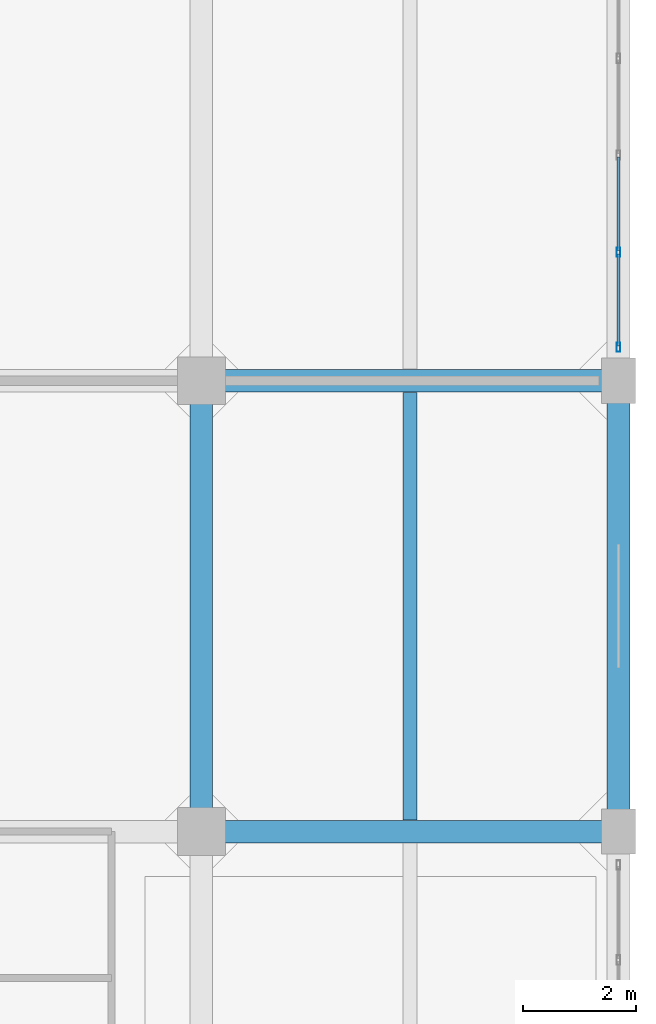
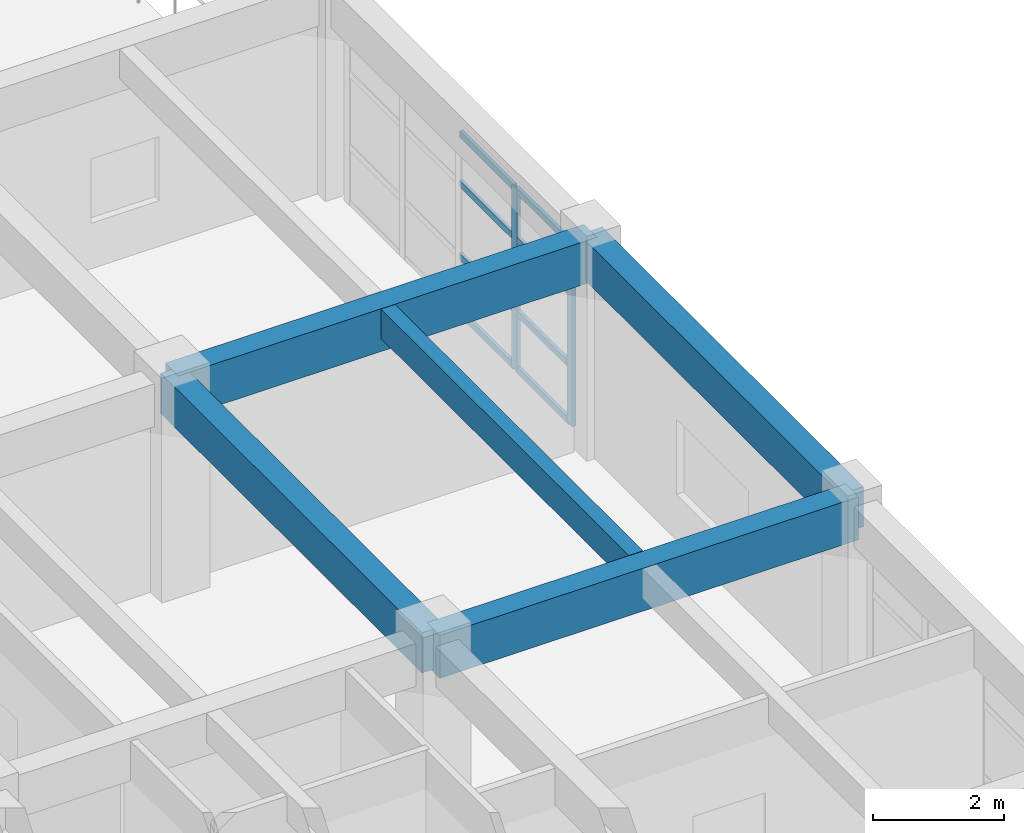
# One storey, part 20 of 30: 10 members, 5 beams, 1 element without a shape of its own.
"""IFC4 building model written with IfcOpenShell, lengths in metres."""

from ifc_helpers import new_model, si_unit, direction, frame, origin, origin_2d, place, context, subcontext, project, spatial, rectangle, hollow_rectangle, extrude, material, layer, layer_set, material_profile, profile_set, type_object, element, aggregate, save


model = new_model("IFC4")

# Units and contexts
model_context = context("Model", 3, precision=1e-05, world=origin(), true_north=direction((0.0, 1.0)))
body_context = subcontext(model_context, "Body", "Model", "MODEL_VIEW")
ifc_project = project(units=[si_unit("LENGTHUNIT", "METRE"), si_unit("AREAUNIT", "SQUARE_METRE"), si_unit("VOLUMEUNIT", "CUBIC_METRE"), si_unit("PLANEANGLEUNIT", "RADIAN"), si_unit("MASSUNIT", "GRAM", prefix="KILO")], contexts=[model_context])

# Site, building, storey
site_placement = place(None, origin())
site = spatial("IfcSite", under=ifc_project, at=site_placement, CompositionType="ELEMENT")
building_placement = place(site_placement, origin())
building = spatial("IfcBuilding", under=site, at=building_placement, Name="Canggui Botanical Conservatory", CompositionType="ELEMENT")
storey_placement = place(building_placement, frame((0.0, 0.0, 19.199951171875)))
storey = spatial("IfcBuildingStorey", under=building, at=storey_placement, Name="L05", CompositionType="ELEMENT", Elevation=19.199951171875)

# Beams
ifc_material_1 = material(Name="Concrete C35", Category="concrete")
ifc_material_profile_1 = material_profile(ifc_material_1, rectangle(XDim=0.25, YDim=0.550048828125, at=origin_2d()), Name="RB 250x550")
ifc_profile_set_1 = profile_set([ifc_material_profile_1], Name="Concrete C35")
beam_type_1 = type_object("IfcBeamType", Name="BM-JST03", PredefinedType="JOIST", material=ifc_profile_set_1)
beam_placement = place(storey_placement, frame((173.699951171875, 58.205078125, 3.68505859375), z_axis=(0.0, 1.0, 0.0), x_axis=(-1.0, 0.0, 0.0)))
element("IfcBeam", 1, at=beam_placement, inside=storey, type_object=beam_type_1, Name="Secondary Floor Joist L05-5-5", PredefinedType="JOIST", context=body_context, shape_type="SweptSolid", body=[
    extrude(rectangle(XDim=0.25, YDim=0.550048828125, at=origin_2d()), origin(), (0.0, 0.0, 1.0), 7.58984375),
])
ifc_material_profile_2 = material_profile(ifc_material_1, rectangle(XDim=0.39990234375, YDim=0.800048828125, at=origin_2d()), Name="RB 400x800")
ifc_profile_set_2 = profile_set([ifc_material_profile_2], Name="Concrete C35")
beam_type_2 = type_object("IfcBeamType", Name="BM-KL09", PredefinedType="BEAM", material=ifc_profile_set_2)
for number, where, z_axis, x_axis, name in (
    (2, (170.0, 58.0, 3.56005859375), (1.0, 0.0, 0.0), (0.0, 1.0, 0.0), "Frame Girder L05 Y58-5"),
    (3, (170.0, 66.0, 3.56005859375), (1.0, 0.0, 0.0), (0.0, 1.0, 0.0), "Frame Girder L05 Y66-5"),
):
    element("IfcBeam", number, at=place(storey_placement, frame(where, z_axis=z_axis, x_axis=x_axis)), inside=storey, type_object=beam_type_2, Name=name, PredefinedType="BEAM", context=body_context, shape_type="SweptSolid", body=[
        extrude(rectangle(XDim=0.39990234375, YDim=0.800048828125, at=origin_2d()), origin(), (0.0, 0.0, 1.0), 7.39990234375),
    ])
ifc_material_profile_3 = material_profile(ifc_material_1, rectangle(XDim=0.39990234375, YDim=0.75, at=origin_2d()), Name="RB 400x750")
ifc_profile_set_3 = profile_set([ifc_material_profile_3], Name="Concrete C35")
beam_type_3 = type_object("IfcBeamType", Name="BM-KL10", PredefinedType="BEAM", material=ifc_profile_set_3)
for number, where, z_axis, x_axis, name in (
    (4, (170.0, 58.0, 3.5849609375), (0.0, 1.0, 0.0), (-1.0, 0.0, 0.0), "Frame Girder L05 X170-5"),
    (5, (177.39990234375, 58.0, 3.5849609375), (0.0, 1.0, 0.0), (-1.0, 0.0, 0.0), "Frame Girder L05 X178-5"),
):
    element("IfcBeam", number, at=place(storey_placement, frame(where, z_axis=z_axis, x_axis=x_axis)), inside=storey, type_object=beam_type_3, Name=name, PredefinedType="BEAM", context=body_context, shape_type="SweptSolid", body=[
        extrude(rectangle(XDim=0.39990234375, YDim=0.75, at=origin_2d()), origin(), (0.0, 0.0, 1.0), 8.0),
    ])

# Curtain wall, members
ifc_material_2 = material(Name="Thermally Broken Aluminium", Category="aluminium")
ifc_layer = layer(ifc_material_2, 0.1650390625, Name="Thermally Broken Aluminium", Category="aluminium")
ifc_layer_set = layer_set([ifc_layer], Name="Thermally Broken Aluminium")
curtain_wall_type = type_object("IfcCurtainWallType", Name="CW-UNIT-B", PredefinedType="USERDEFINED", material=ifc_layer_set)
curtain_wall_placement = place(storey_placement, origin())
curtain_wall = element("IfcCurtainWall", 6, at=curtain_wall_placement, inside=storey, type_object=curtain_wall_type, Name="Facade Curtain Wall CW-TWR-L05-17", ObjectType="UNITISED CURTAIN WALL", PredefinedType="USERDEFINED")
ifc_material_profile_4 = material_profile(ifc_material_2, hollow_rectangle(XDim=0.06494140625, YDim=0.1650390625, WallThickness=0.00390625, at=origin_2d()), Name="CWM 65x165x4")
ifc_profile_set_4 = profile_set([ifc_material_profile_4], Name="Thermally Broken Aluminium")
member_type_1 = type_object("IfcMemberType", Name="CWM-02", PredefinedType="MULLION", material=ifc_profile_set_4)
member_1_placement = place(storey_placement, frame((177.39990234375, 68.280029296875, 0.0), z_axis=(0.0, 0.0, 1.0), x_axis=(1.0, 0.0, 0.0)))
member_1 = element("IfcMember", 7, at=member_1_placement, type_object=member_type_1, Name="CW-02 mullion 4", PredefinedType="MULLION", context=body_context, shape_type="SweptSolid", body=[
    extrude(hollow_rectangle(XDim=0.06494140625, YDim=0.1650390625, WallThickness=0.00390625, at=origin_2d()), origin(), (0.0, 0.0, 1.0), 3.400146484375),
])
member_2_placement = place(storey_placement, frame((177.39990234375, 66.592529296875, 0.0), z_axis=(0.0, 0.0, 1.0), x_axis=(1.0, 0.0, 0.0)))
member_2 = element("IfcMember", 8, at=member_2_placement, type_object=member_type_1, Name="CW-02 mullion 5", PredefinedType="MULLION", context=body_context, shape_type="SweptSolid", body=[
    extrude(hollow_rectangle(XDim=0.06494140625, YDim=0.1650390625, WallThickness=0.00390625, at=origin_2d()), origin(), (0.0, 0.0, 1.0), 3.400146484375),
])
ifc_material_profile_5 = material_profile(ifc_material_2, hollow_rectangle(XDim=0.06005859375, YDim=0.1201171875, WallThickness=0.00341796875, at=origin_2d()), Name="CWT 60x120x3.5")
ifc_profile_set_5 = profile_set([ifc_material_profile_5], Name="Thermally Broken Aluminium")
member_type_2 = type_object("IfcMemberType", Name="CWT-02", PredefinedType="USERDEFINED", material=ifc_profile_set_5)
member_3_placement = place(storey_placement, frame((177.39990234375, 69.967529296875, 0.030029296875), z_axis=(0.0, -1.0, 0.0), x_axis=(1.0, 0.0, 0.0)))
member_3 = element("IfcMember", 9, at=member_3_placement, type_object=member_type_2, Name="CW-02 transom 3.1", ObjectType="TRANSOM", PredefinedType="USERDEFINED", context=body_context, shape_type="SweptSolid", body=[
    extrude(hollow_rectangle(XDim=0.06005859375, YDim=0.1201171875, WallThickness=0.00341796875, at=origin_2d()), origin(), (0.0, 0.0, 1.0), 1.655029296875),
])
member_4_placement = place(storey_placement, frame((177.39990234375, 69.967529296875, 1.088134765625), z_axis=(0.0, -1.0, 0.0), x_axis=(1.0, 0.0, 0.0)))
member_4 = element("IfcMember", 10, at=member_4_placement, type_object=member_type_2, Name="CW-02 transom 3.2", ObjectType="TRANSOM", PredefinedType="USERDEFINED", context=body_context, shape_type="SweptSolid", body=[
    extrude(hollow_rectangle(XDim=0.06005859375, YDim=0.1201171875, WallThickness=0.00341796875, at=origin_2d()), origin(), (0.0, 0.0, 1.0), 1.655029296875),
])
member_5_placement = place(storey_placement, frame((177.39990234375, 69.967529296875, 2.447998046875), z_axis=(0.0, -1.0, 0.0), x_axis=(1.0, 0.0, 0.0)))
member_5 = element("IfcMember", 11, at=member_5_placement, type_object=member_type_2, Name="CW-02 transom 3.3", ObjectType="TRANSOM", PredefinedType="USERDEFINED", context=body_context, shape_type="SweptSolid", body=[
    extrude(hollow_rectangle(XDim=0.06005859375, YDim=0.1201171875, WallThickness=0.00341796875, at=origin_2d()), origin(), (0.0, 0.0, 1.0), 1.655029296875),
])
member_6_placement = place(storey_placement, frame((177.39990234375, 69.967529296875, 3.3701171875), z_axis=(0.0, -1.0, 0.0), x_axis=(1.0, 0.0, 0.0)))
member_6 = element("IfcMember", 12, at=member_6_placement, type_object=member_type_2, Name="CW-02 transom 3.4", ObjectType="TRANSOM", PredefinedType="USERDEFINED", context=body_context, shape_type="SweptSolid", body=[
    extrude(hollow_rectangle(XDim=0.06005859375, YDim=0.1201171875, WallThickness=0.00341796875, at=origin_2d()), origin(), (0.0, 0.0, 1.0), 1.655029296875),
])
member_7_placement = place(storey_placement, frame((177.39990234375, 68.24755859375, 0.030029296875), z_axis=(0.0, -1.0, 0.0), x_axis=(1.0, 0.0, 0.0)))
member_7 = element("IfcMember", 13, at=member_7_placement, type_object=member_type_2, Name="CW-02 transom 4.1", ObjectType="TRANSOM", PredefinedType="USERDEFINED", context=body_context, shape_type="SweptSolid", body=[
    extrude(hollow_rectangle(XDim=0.06005859375, YDim=0.1201171875, WallThickness=0.00341796875, at=origin_2d()), origin(), (0.0, 0.0, 1.0), 1.62255859375),
])
member_8_placement = place(storey_placement, frame((177.39990234375, 68.24755859375, 1.088134765625), z_axis=(0.0, -1.0, 0.0), x_axis=(1.0, 0.0, 0.0)))
member_8 = element("IfcMember", 14, at=member_8_placement, type_object=member_type_2, Name="CW-02 transom 4.2", ObjectType="TRANSOM", PredefinedType="USERDEFINED", context=body_context, shape_type="SweptSolid", body=[
    extrude(hollow_rectangle(XDim=0.06005859375, YDim=0.1201171875, WallThickness=0.00341796875, at=origin_2d()), origin(), (0.0, 0.0, 1.0), 1.62255859375),
])
member_9_placement = place(storey_placement, frame((177.39990234375, 68.24755859375, 2.447998046875), z_axis=(0.0, -1.0, 0.0), x_axis=(1.0, 0.0, 0.0)))
member_9 = element("IfcMember", 15, at=member_9_placement, type_object=member_type_2, Name="CW-02 transom 4.3", ObjectType="TRANSOM", PredefinedType="USERDEFINED", context=body_context, shape_type="SweptSolid", body=[
    extrude(hollow_rectangle(XDim=0.06005859375, YDim=0.1201171875, WallThickness=0.00341796875, at=origin_2d()), origin(), (0.0, 0.0, 1.0), 1.62255859375),
])
member_10_placement = place(storey_placement, frame((177.39990234375, 68.24755859375, 3.3701171875), z_axis=(0.0, -1.0, 0.0), x_axis=(1.0, 0.0, 0.0)))
member_10 = element("IfcMember", 16, at=member_10_placement, type_object=member_type_2, Name="CW-02 transom 4.4", ObjectType="TRANSOM", PredefinedType="USERDEFINED", context=body_context, shape_type="SweptSolid", body=[
    extrude(hollow_rectangle(XDim=0.06005859375, YDim=0.1201171875, WallThickness=0.00341796875, at=origin_2d()), origin(), (0.0, 0.0, 1.0), 1.62255859375),
])
aggregate(curtain_wall, [member_1, member_2, member_3, member_4, member_5, member_6, member_7, member_8, member_9, member_10])

save(model, "model.ifc")
